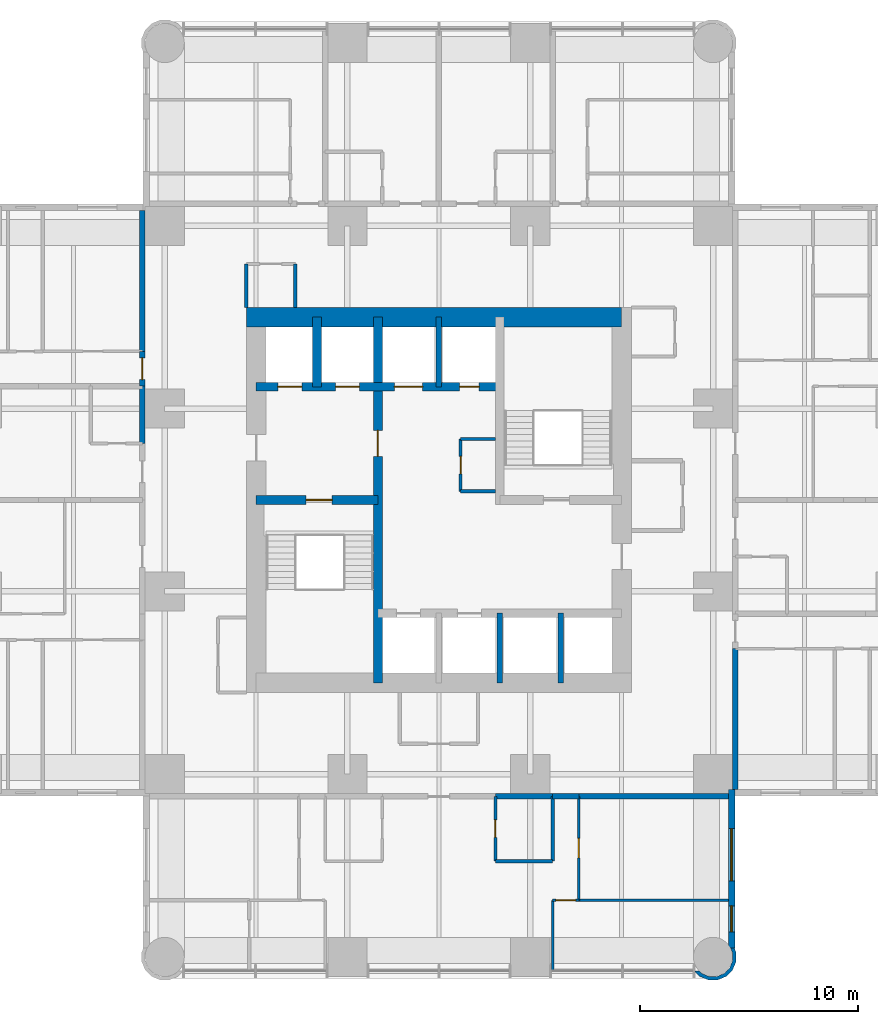
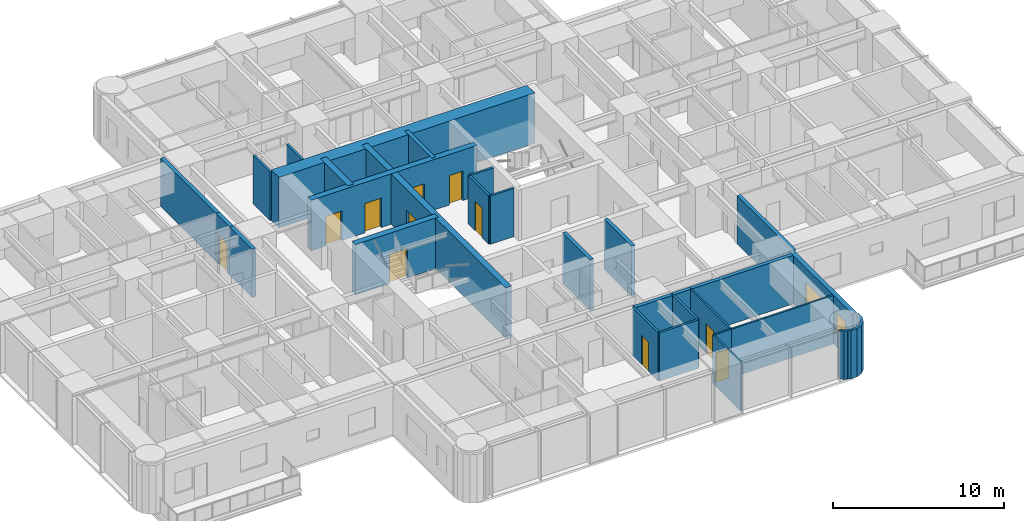
# One storey, part 8 of 14: 29 walls, 11 doors, 2 windows, 13 openings.
"""IFC4 building model written with IfcOpenShell, lengths in metres."""

from ifc_helpers import new_model, si_unit, direction, frame, frame_2d, origin, place, context, subcontext, project, spatial, polyline, rectangle, outline, extrude, material, layer, layer_set, type_object, element, fill, save


model = new_model("IFC4")

# Units and contexts
model_context = context("Model", 3, precision=1e-05, world=origin(), true_north=direction((0.0, 1.0)))
body_context = subcontext(model_context, "Body", "Model", "MODEL_VIEW")
ifc_project = project(units=[si_unit("LENGTHUNIT", "METRE"), si_unit("AREAUNIT", "SQUARE_METRE"), si_unit("VOLUMEUNIT", "CUBIC_METRE"), si_unit("PLANEANGLEUNIT", "RADIAN"), si_unit("MASSUNIT", "GRAM", prefix="KILO")], contexts=[model_context])

# Site, building, storey
site_placement = place(None, origin())
site = spatial("IfcSite", under=ifc_project, at=site_placement, CompositionType="ELEMENT")
building_placement = place(site_placement, origin())
building = spatial("IfcBuilding", under=site, at=building_placement, Name="Torre Alcanfor", CompositionType="ELEMENT")
storey_placement = place(building_placement, frame((0.0, 0.0, 170.10009765625)))
storey = spatial("IfcBuildingStorey", under=building, at=storey_placement, Name="L44", CompositionType="ELEMENT", Elevation=170.10009765625)

# Walls
ifc_material_1 = material(Name="Concrete block masonry, hollow blocks NMX-C-404 9 MPa", Category="masonry")
ifc_layer_1 = layer(ifc_material_1, 0.25)
ifc_layer_set_1 = layer_set([ifc_layer_1], Name="Apartment entrance wall 250 EI 60")
wall_type_1 = type_object("IfcWallType", Name="Apartment entrance wall 250 EI 60", PredefinedType="PARTITIONING", material=ifc_layer_set_1)
wall_1_placement = place(storey_placement, frame((43.02490234375, 22.571044921875, 0.0), z_axis=(0.0, 0.0, 1.0), x_axis=(0.0, -1.0, 0.0)))
element("IfcWall", 1, at=wall_1_placement, inside=storey, type_object=wall_type_1, Name="Partition L44-CORR / L44-E2B-BED2", PredefinedType="PARTITIONING", context=body_context, shape_type="SweptSolid", body=[
    extrude(rectangle(XDim=6.470947265625, YDim=0.25, at=frame_2d((3.2353515625, 0.0))), origin(), (0.0, 0.0, 1.0), 3.449951171875),
])
wall_2_placement = place(storey_placement, frame((34.62890625, 15.77490234375, 0.0), z_axis=(0.0, 0.0, 1.0), x_axis=(-1.0, 0.0, 0.0)))
element("IfcWall", 2, at=wall_2_placement, inside=storey, type_object=wall_type_1, Name="Partition L44-CORR / L44-SX-BATH2", PredefinedType="PARTITIONING", context=body_context, shape_type="SweptSolid", body=[
    extrude(rectangle(XDim=2.62890625, YDim=0.25, at=frame_2d((1.314453125, 0.0))), origin(), (0.0, 0.0, 1.0), 3.449951171875),
])
wall_3_placement = place(storey_placement, frame((35.8291015625, 15.77490234375, 0.0), z_axis=(0.0, 0.0, 1.0), x_axis=(-1.0, 0.0, 0.0)))
element("IfcWall", 3, at=wall_3_placement, inside=storey, type_object=wall_type_1, Name="Partition L44-CORR / L44-SX-LIVING", PredefinedType="PARTITIONING", context=body_context, shape_type="SweptSolid", body=[
    extrude(rectangle(XDim=1.2001953125, YDim=0.25, at=frame_2d((0.60009765625, 0.0))), origin(), (0.0, 0.0, 1.0), 3.449951171875),
])
wall_4_placement = place(storey_placement, frame((42.699951171875, 15.77490234375, 0.0), z_axis=(0.0, 0.0, 1.0), x_axis=(-1.0, 0.0, 0.0)))
element("IfcWall", 4, at=wall_4_placement, inside=storey, type_object=wall_type_1, Name="Partition L44-CORR / L44-SX-BED2", PredefinedType="PARTITIONING", context=body_context, shape_type="SweptSolid", body=[
    extrude(rectangle(XDim=6.870849609375, YDim=0.25, at=frame_2d((3.435546875, 0.0))), origin(), (0.0, 0.0, 1.0), 3.449951171875),
])
wall_5_placement = place(storey_placement, frame((15.77490234375, 32.0, 0.0), z_axis=(0.0, 0.0, 1.0), x_axis=(0.0, 1.0, 0.0)))
element("IfcWall", 5, at=wall_5_placement, inside=storey, type_object=wall_type_1, Name="Partition L44-CORR / L44-W2A-BATH", PredefinedType="PARTITIONING", context=body_context, shape_type="SweptSolid", body=[
    extrude(rectangle(XDim=2.62890625, YDim=0.25, at=frame_2d((1.314453125, 0.0))), origin(), (0.0, 0.0, 1.0), 3.449951171875),
])

# Wall, opening, door
wall_6_placement = place(storey_placement, frame((15.77490234375, 34.62890625, 0.0), z_axis=(0.0, 0.0, 1.0), x_axis=(0.0, 1.0, 0.0)))
wall_6 = element("IfcWall", 6, at=wall_6_placement, inside=storey, type_object=wall_type_1, Name="Partition L44-CORR / L44-W2B-HALL", PredefinedType="PARTITIONING", context=body_context, shape_type="SweptSolid", body=[
    extrude(rectangle(XDim=1.60009765625, YDim=0.25, at=frame_2d((0.800048828125, 0.0))), origin(), (0.0, 0.0, 1.0), 3.449951171875),
])
opening_1_placement = place(wall_6_placement, frame((0.300048828125, 0.0, 0.0)))
opening_1 = element("IfcOpeningElement", 7, at=opening_1_placement, cuts=wall_6, Name="Opening D-A1", PredefinedType="OPENING", context=body_context, shape_type="SweptSolid", body=[
    extrude(rectangle(XDim=1.0, YDim=2.10009765625, at=frame_2d((0.5, 1.050048828125))), frame((0.0, 0.135009765625, 0.0), z_axis=(0.0, -1.0, 0.0), x_axis=(1.0, 0.0, 0.0)), (0.0, 0.0, 1.0), 0.27001953125),
])
ifc_material_2 = material(Name="Galvanised steel sheet ASTM A653", Category="steel")
door_type_1 = type_object("IfcDoorType", Name="Apartment entrance door FD60 1000x2100", OperationType="SINGLE_SWING_LEFT", PredefinedType="DOOR", material=ifc_material_2)
door_1_placement = place(opening_1_placement, origin())
door_1 = element("IfcDoor", 8, at=door_1_placement, inside=storey, type_object=door_type_1, Name="Apartment entrance L44-W2B", OperationType="SINGLE_SWING_LEFT", OverallHeight=2.10009765625, OverallWidth=1.0, PredefinedType="DOOR", context=body_context, shape_type="SweptSolid", body=[
    extrude(rectangle(XDim=1.0, YDim=2.10009765625, at=frame_2d((0.5, 1.050048828125))), frame((0.0, 0.02490234375, 0.0), z_axis=(0.0, -1.0, 0.0), x_axis=(1.0, 0.0, 0.0)), (0.0, 0.0, 1.0), 0.050048828125),
])
fill(opening_1, door_1)

# Wall
wall_7_placement = place(storey_placement, frame((15.77490234375, 36.22900390625, 0.0), z_axis=(0.0, 0.0, 1.0), x_axis=(0.0, 1.0, 0.0)))
element("IfcWall", 9, at=wall_7_placement, inside=storey, type_object=wall_type_1, Name="Partition L44-CORR / L44-W2B-MASTER", PredefinedType="PARTITIONING", context=body_context, shape_type="SweptSolid", body=[
    extrude(rectangle(XDim=6.470947265625, YDim=0.25, at=frame_2d((3.2353515625, 0.0))), origin(), (0.0, 0.0, 1.0), 3.449951171875),
])

# Wall, opening, door
ifc_material_3 = material(Name="Gypsum board on steel studs", Category="steel")
ifc_layer_2 = layer(ifc_material_3, 0.1201171875)
ifc_layer_set_2 = layer_set([ifc_layer_2], Name="Apartment partition 120")
wall_type_2 = type_object("IfcWallType", Name="Apartment partition 120", PredefinedType="PARTITIONING", material=ifc_layer_set_2)
wall_8_placement = place(storey_placement, frame((35.8291015625, 15.77490234375, 0.0), z_axis=(0.0, 0.0, 1.0), x_axis=(0.0, -1.0, 0.0)))
wall_8 = element("IfcWall", 10, at=wall_8_placement, inside=storey, type_object=wall_type_2, Name="Partition L44-SX-LIVING / L44-SX-BED2", PredefinedType="PARTITIONING", context=body_context, shape_type="SweptSolid", body=[
    extrude(rectangle(XDim=4.77490234375, YDim=0.1201171875, at=frame_2d((2.387451171875, 0.0))), origin(), (0.0, 0.0, 1.0), 3.449951171875),
])
opening_2_placement = place(wall_8_placement, frame((1.925048828125, 0.0, 0.0)))
opening_2 = element("IfcOpeningElement", 11, at=opening_2_placement, cuts=wall_8, Name="Opening D-R1", PredefinedType="OPENING", context=body_context, shape_type="SweptSolid", body=[
    extrude(rectangle(XDim=0.89990234375, YDim=2.10009765625, at=frame_2d((0.449951171875, 1.050048828125))), frame((0.0, 0.070068359375, 0.0), z_axis=(0.0, -1.0, 0.0), x_axis=(1.0, 0.0, 0.0)), (0.0, 0.0, 1.0), 0.14013671875),
])
ifc_material_4 = material(Name="Timber", Category="wood")
door_type_2 = type_object("IfcDoorType", Name="Internal door 900x2100", OperationType="SINGLE_SWING_LEFT", PredefinedType="DOOR", material=ifc_material_4)
door_2_placement = place(opening_2_placement, origin())
door_2 = element("IfcDoor", 12, at=door_2_placement, inside=storey, type_object=door_type_2, Name="Door L44-SX bed2", OperationType="SINGLE_SWING_LEFT", OverallHeight=2.10009765625, OverallWidth=0.89990234375, PredefinedType="DOOR", context=body_context, shape_type="SweptSolid", body=[
    extrude(rectangle(XDim=0.89990234375, YDim=2.10009765625, at=frame_2d((0.449951171875, 1.050048828125))), frame((0.0, 0.02490234375, 0.0), z_axis=(0.0, -1.0, 0.0), x_axis=(1.0, 0.0, 0.0)), (0.0, 0.0, 1.0), 0.050048828125),
])
fill(opening_2, door_2)

wall_9_placement = place(storey_placement, frame((35.8291015625, 11.0, 0.0), z_axis=(0.0, 0.0, 1.0), x_axis=(-1.0, 0.0, 0.0)))
wall_9 = element("IfcWall", 13, at=wall_9_placement, inside=storey, type_object=wall_type_2, Name="Partition L44-SX-LIVING / L44-SX-MASTER", PredefinedType="PARTITIONING", context=body_context, shape_type="SweptSolid", body=[
    extrude(rectangle(XDim=1.2001953125, YDim=0.1201171875, at=frame_2d((0.60009765625, 0.0))), origin(), (0.0, 0.0, 1.0), 3.449951171875),
])
opening_3_placement = place(wall_9_placement, frame((0.14892578125, 0.0, 0.0)))
opening_3 = element("IfcOpeningElement", 14, at=opening_3_placement, cuts=wall_9, Name="Opening D-R1", PredefinedType="OPENING", context=body_context, shape_type="SweptSolid", body=[
    extrude(rectangle(XDim=0.89990234375, YDim=2.10009765625, at=frame_2d((0.449951171875, 1.050048828125))), frame((0.0, 0.070068359375, 0.0), z_axis=(0.0, -1.0, 0.0), x_axis=(1.0, 0.0, 0.0)), (0.0, 0.0, 1.0), 0.14013671875),
])
door_3_placement = place(opening_3_placement, origin())
door_3 = element("IfcDoor", 15, at=door_3_placement, inside=storey, type_object=door_type_2, Name="Door L44-SX master", OperationType="SINGLE_SWING_RIGHT", OverallHeight=2.10009765625, OverallWidth=0.89990234375, PredefinedType="DOOR", context=body_context, shape_type="SweptSolid", body=[
    extrude(rectangle(XDim=0.89990234375, YDim=2.10009765625, at=frame_2d((0.449951171875, 1.050048828125))), frame((0.0, 0.02490234375, 0.0), z_axis=(0.0, -1.0, 0.0), x_axis=(1.0, 0.0, 0.0)), (0.0, 0.0, 1.0), 0.050048828125),
])
fill(opening_3, door_3)

# Walls
wall_10_placement = place(storey_placement, frame((34.62890625, 11.0, 0.0), z_axis=(0.0, 0.0, 1.0), x_axis=(0.0, -1.0, 0.0)))
element("IfcWall", 16, at=wall_10_placement, inside=storey, type_object=wall_type_2, Name="Partition L44-SX-LIVING / L44-SX-MASTER", PredefinedType="PARTITIONING", context=body_context, shape_type="SweptSolid", body=[
    extrude(rectangle(XDim=3.25, YDim=0.1201171875, at=frame_2d((1.625, 0.0))), origin(), (0.0, 0.0, 1.0), 3.449951171875),
])
wall_11_placement = place(storey_placement, frame((35.8291015625, 11.0, 0.0), z_axis=(0.0, 0.0, 1.0), x_axis=(1.0, 0.0, 0.0)))
element("IfcWall", 17, at=wall_11_placement, inside=storey, type_object=wall_type_2, Name="Partition L44-SX-BED2 / L44-SX-MASTER", PredefinedType="PARTITIONING", context=body_context, shape_type="SweptSolid", body=[
    extrude(rectangle(XDim=6.870849609375, YDim=0.1201171875, at=frame_2d((3.435546875, 0.0))), origin(), (0.0, 0.0, 1.0), 3.449951171875),
])

# Wall, opening, door
ifc_material_5 = material(Name="Concrete f'c 70 MPa", Category="concrete")
ifc_layer_3 = layer(ifc_material_5, 0.39990234375)
ifc_layer_set_3 = layer_set([ifc_layer_3], Name="Core inner wall 400 f'c70")
wall_type_3 = type_object("IfcWallType", Name="Core inner wall 400 f'c70", PredefinedType="SHEAR", material=ifc_layer_set_3)
wall_12_placement = place(storey_placement, frame((26.60009765625, 21.0, 0.0), z_axis=(0.0, 0.0, 1.0), x_axis=(0.0, 1.0, 0.0)))
wall_12 = element("IfcWall", 18, at=wall_12_placement, inside=storey, type_object=wall_type_3, Name="Core wall X266 L44", PredefinedType="SHEAR", context=body_context, shape_type="SweptSolid", body=[
    extrude(rectangle(XDim=16.800048828125, YDim=0.39990234375, at=frame_2d((8.39990234375, 0.0))), origin(), (0.0, 0.0, 1.0), 3.599853515625),
])
opening_4_placement = place(wall_12_placement, frame((10.39990234375, 0.0, 0.0)))
opening_4 = element("IfcOpeningElement", 19, at=opening_4_placement, cuts=wall_12, Name="Opening D-L1", PredefinedType="OPENING", context=body_context, shape_type="SweptSolid", body=[
    extrude(rectangle(XDim=1.199951171875, YDim=2.10009765625, at=frame_2d((0.60009765625, 1.050048828125))), frame((0.0, 0.2099609375, 0.0), z_axis=(0.0, -1.0, 0.0), x_axis=(1.0, 0.0, 0.0)), (0.0, 0.0, 1.0), 0.419921875),
])
ifc_material_6 = material(Name="Galvanised steel sheet ASTM A653", Category="steel")
door_type_3 = type_object("IfcDoorType", Name="Lobby door FD120 1200x2100", OperationType="SINGLE_SWING_LEFT", PredefinedType="DOOR", material=ifc_material_6)
door_4_placement = place(opening_4_placement, origin())
door_4 = element("IfcDoor", 20, at=door_4_placement, inside=storey, type_object=door_type_3, Name="Lift lobby door L44", OperationType="SINGLE_SWING_LEFT", OverallHeight=2.10009765625, OverallWidth=1.199951171875, PredefinedType="DOOR", context=body_context, shape_type="SweptSolid", body=[
    extrude(rectangle(XDim=1.199951171875, YDim=2.10009765625, at=frame_2d((0.60009765625, 1.050048828125))), frame((0.0, 0.02490234375, 0.0), z_axis=(0.0, -1.0, 0.0), x_axis=(1.0, 0.0, 0.0)), (0.0, 0.0, 1.0), 0.050048828125),
])
fill(opening_4, door_4)

wall_13_placement = place(storey_placement, frame((21.0, 29.39990234375, 0.0), z_axis=(0.0, 0.0, 1.0), x_axis=(1.0, 0.0, 0.0)))
wall_13 = element("IfcWall", 21, at=wall_13_placement, inside=storey, type_object=wall_type_3, Name="Core wall Y294W L44", PredefinedType="SHEAR", context=body_context, shape_type="SweptSolid", body=[
    extrude(rectangle(XDim=5.60009765625, YDim=0.39990234375, at=frame_2d((2.800048828125, 0.0))), origin(), (0.0, 0.0, 1.0), 3.599853515625),
])
opening_5_placement = place(wall_13_placement, frame((2.300048828125, 0.0, 0.0)))
opening_5 = element("IfcOpeningElement", 22, at=opening_5_placement, cuts=wall_13, Name="Opening D-S2", PredefinedType="OPENING", context=body_context, shape_type="SweptSolid", body=[
    extrude(rectangle(XDim=1.199951171875, YDim=2.10009765625, at=frame_2d((0.60009765625, 1.050048828125))), frame((0.0, 0.2099609375, 0.0), z_axis=(0.0, -1.0, 0.0), x_axis=(1.0, 0.0, 0.0)), (0.0, 0.0, 1.0), 0.419921875),
])
ifc_material_7 = material(Name="Galvanised steel sheet ASTM A653", Category="steel")
door_type_4 = type_object("IfcDoorType", Name="Stair enclosure door FD120 1200x2100", OperationType="SINGLE_SWING_LEFT", PredefinedType="DOOR", material=ifc_material_7)
door_5_placement = place(opening_5_placement, frame((1.199951171875, 0.0, 0.0), z_axis=(0.0, 0.0, 1.0), x_axis=(-1.0, 0.0, 0.0)))
door_5 = element("IfcDoor", 23, at=door_5_placement, inside=storey, type_object=door_type_4, Name="Stair S1 door L44", OperationType="SINGLE_SWING_LEFT", OverallHeight=2.10009765625, OverallWidth=1.199951171875, PredefinedType="DOOR", context=body_context, shape_type="SweptSolid", body=[
    extrude(rectangle(XDim=1.199951171875, YDim=2.10009765625, at=frame_2d((0.599853515625, 1.050048828125))), frame((0.0, 0.025146484375, 0.0), z_axis=(0.0, -1.0, 0.0), x_axis=(1.0, 0.0, 0.0)), (0.0, 0.0, 1.0), 0.050048828125),
])
fill(opening_5, door_5)

# Wall, openings, doors
wall_14_placement = place(storey_placement, frame((21.0, 34.60009765625, 0.0), z_axis=(0.0, 0.0, 1.0), x_axis=(1.0, 0.0, 0.0)))
wall_14 = element("IfcWall", 24, at=wall_14_placement, inside=storey, type_object=wall_type_3, Name="Core wall Y346 L44", PredefinedType="SHEAR", context=body_context, shape_type="SweptSolid", body=[
    extrude(rectangle(XDim=11.199951171875, YDim=0.39990234375, at=frame_2d((5.60009765625, 0.0))), origin(), (0.0, 0.0, 1.0), 3.599853515625),
])
opening_6_placement = place(wall_14_placement, frame((9.35009765625, 0.0, 0.0)))
opening_6 = element("IfcOpeningElement", 25, at=opening_6_placement, cuts=wall_14, Name="Opening D-Q1", PredefinedType="OPENING", context=body_context, shape_type="SweptSolid", body=[
    extrude(rectangle(XDim=0.89990234375, YDim=2.10009765625, at=frame_2d((0.449951171875, 1.050048828125))), frame((0.0, 0.2099609375, 0.0), z_axis=(0.0, -1.0, 0.0), x_axis=(1.0, 0.0, 0.0)), (0.0, 0.0, 1.0), 0.419921875),
])
opening_7_placement = place(wall_14_placement, frame((1.0, 0.0, 0.0)))
opening_7 = element("IfcOpeningElement", 26, at=opening_7_placement, cuts=wall_14, Name="Opening LD2", PredefinedType="OPENING", context=body_context, shape_type="SweptSolid", body=[
    extrude(rectangle(XDim=1.10009765625, YDim=2.10009765625, at=frame_2d((0.550048828125, 1.050048828125))), frame((0.0, 0.2099609375, 0.0), z_axis=(0.0, -1.0, 0.0), x_axis=(1.0, 0.0, 0.0)), (0.0, 0.0, 1.0), 0.419921875),
])
opening_8_placement = place(wall_14_placement, frame((3.64990234375, 0.0, 0.0)))
opening_8 = element("IfcOpeningElement", 27, at=opening_8_placement, cuts=wall_14, Name="Opening LD2", PredefinedType="OPENING", context=body_context, shape_type="SweptSolid", body=[
    extrude(rectangle(XDim=1.10009765625, YDim=2.10009765625, at=frame_2d((0.550048828125, 1.050048828125))), frame((0.0, 0.2099609375, 0.0), z_axis=(0.0, -1.0, 0.0), x_axis=(1.0, 0.0, 0.0)), (0.0, 0.0, 1.0), 0.419921875),
])
opening_9_placement = place(wall_14_placement, frame((6.35009765625, 0.0, 0.0)))
opening_9 = element("IfcOpeningElement", 28, at=opening_9_placement, cuts=wall_14, Name="Opening LD3", PredefinedType="OPENING", context=body_context, shape_type="SweptSolid", body=[
    extrude(rectangle(XDim=1.300048828125, YDim=2.10009765625, at=frame_2d((0.64990234375, 1.050048828125))), frame((0.0, 0.2099609375, 0.0), z_axis=(0.0, -1.0, 0.0), x_axis=(1.0, 0.0, 0.0)), (0.0, 0.0, 1.0), 0.419921875),
])
ifc_material_8 = material(Name="Galvanised steel sheet ASTM A653", Category="steel")
door_type_5 = type_object("IfcDoorType", Name="Firefighting lift landing door 1100x2100", OperationType="DOUBLE_DOOR_SLIDING", PredefinedType="DOOR", material=ifc_material_8)
door_6_placement = place(opening_7_placement, origin())
door_6 = element("IfcDoor", 29, at=door_6_placement, inside=storey, type_object=door_type_5, Name="Lift landing door FL1 L44", OperationType="DOUBLE_DOOR_SLIDING", OverallHeight=2.10009765625, OverallWidth=1.10009765625, PredefinedType="DOOR", context=body_context, shape_type="SweptSolid", body=[
    extrude(rectangle(XDim=1.10009765625, YDim=2.10009765625, at=frame_2d((0.550048828125, 1.050048828125))), frame((0.0, 0.02490234375, 0.0), z_axis=(0.0, -1.0, 0.0), x_axis=(1.0, 0.0, 0.0)), (0.0, 0.0, 1.0), 0.050048828125),
])
fill(opening_7, door_6)
door_7_placement = place(opening_8_placement, origin())
door_7 = element("IfcDoor", 30, at=door_7_placement, inside=storey, type_object=door_type_5, Name="Lift landing door FL2 L44", OperationType="DOUBLE_DOOR_SLIDING", OverallHeight=2.10009765625, OverallWidth=1.10009765625, PredefinedType="DOOR", context=body_context, shape_type="SweptSolid", body=[
    extrude(rectangle(XDim=1.10009765625, YDim=2.10009765625, at=frame_2d((0.550048828125, 1.050048828125))), frame((0.0, 0.02490234375, 0.0), z_axis=(0.0, -1.0, 0.0), x_axis=(1.0, 0.0, 0.0)), (0.0, 0.0, 1.0), 0.050048828125),
])
fill(opening_8, door_7)
ifc_material_9 = material(Name="Galvanised steel sheet ASTM A653", Category="steel")
door_type_6 = type_object("IfcDoorType", Name="Riser access door FD120 900x2100", OperationType="SINGLE_SWING_LEFT", PredefinedType="DOOR", material=ifc_material_9)
door_8_placement = place(opening_6_placement, origin())
door_8 = element("IfcDoor", 31, at=door_8_placement, inside=storey, type_object=door_type_6, Name="Riser door L44", OperationType="SINGLE_SWING_LEFT", OverallHeight=2.10009765625, OverallWidth=0.89990234375, PredefinedType="DOOR", context=body_context, shape_type="SweptSolid", body=[
    extrude(rectangle(XDim=0.89990234375, YDim=2.10009765625, at=frame_2d((0.449951171875, 1.050048828125))), frame((0.0, 0.02490234375, 0.0), z_axis=(0.0, -1.0, 0.0), x_axis=(1.0, 0.0, 0.0)), (0.0, 0.0, 1.0), 0.050048828125),
])
fill(opening_6, door_8)
ifc_material_10 = material(Name="Galvanised steel sheet ASTM A653", Category="steel")
door_type_7 = type_object("IfcDoorType", Name="Service lift landing door 1300x2100", OperationType="DOUBLE_DOOR_SLIDING", PredefinedType="DOOR", material=ifc_material_10)
door_9_placement = place(opening_9_placement, origin())
door_9 = element("IfcDoor", 32, at=door_9_placement, inside=storey, type_object=door_type_7, Name="Lift landing door SL1 L44", OperationType="DOUBLE_DOOR_SLIDING", OverallHeight=2.10009765625, OverallWidth=1.300048828125, PredefinedType="DOOR", context=body_context, shape_type="SweptSolid", body=[
    extrude(rectangle(XDim=1.300048828125, YDim=2.10009765625, at=frame_2d((0.64990234375, 1.050048828125))), frame((0.0, 0.02490234375, 0.0), z_axis=(0.0, -1.0, 0.0), x_axis=(1.0, 0.0, 0.0)), (0.0, 0.0, 1.0), 0.050048828125),
])
fill(opening_9, door_9)

# Walls
wall_15_placement = place(storey_placement, frame((23.800048828125, 34.60009765625, 0.0), z_axis=(0.0, 0.0, 1.0), x_axis=(0.0, 1.0, 0.0)))
element("IfcWall", 33, at=wall_15_placement, inside=storey, type_object=wall_type_3, Name="Core wall X238 L44", PredefinedType="SHEAR", context=body_context, shape_type="SweptSolid", body=[
    extrude(rectangle(XDim=3.199951171875, YDim=0.39990234375, at=frame_2d((1.60009765625, 0.0))), origin(), (0.0, 0.0, 1.0), 3.599853515625),
])
ifc_material_11 = material(Name="Concrete f'c 70 MPa", Category="concrete")
ifc_layer_4 = layer(ifc_material_11, 0.25)
ifc_layer_set_4 = layer_set([ifc_layer_4], Name="Core shaft wall 250 f'c70")
wall_type_4 = type_object("IfcWallType", Name="Core shaft wall 250 f'c70", PredefinedType="SHEAR", material=ifc_layer_set_4)
for number, where, z_axis, x_axis, name in (
    (34, (32.199951171875, 21.0, 0.0), (0.0, 0.0, 1.0), (0.0, 1.0, 0.0), "Core wall X322S L44"),
    (35, (35.0, 21.0, 0.0), (0.0, 0.0, 1.0), (0.0, 1.0, 0.0), "Core wall X350S L44"),
    (36, (29.39990234375, 34.60009765625, 0.0), (0.0, 0.0, 1.0), (0.0, 1.0, 0.0), "Core wall X294N L44"),
):
    element("IfcWall", number, at=place(storey_placement, frame(where, z_axis=z_axis, x_axis=x_axis)), inside=storey, type_object=wall_type_4, Name=name, PredefinedType="SHEAR", context=body_context, shape_type="SweptSolid", body=[
        extrude(rectangle(XDim=3.199951171875, YDim=0.25, at=frame_2d((1.60009765625, 0.0))), origin(), (0.0, 0.0, 1.0), 3.599853515625),
    ])
ifc_material_12 = material(Name="Concrete f'c 70 MPa", Category="concrete")
ifc_layer_5 = layer(ifc_material_12, 0.89990234375)
ifc_layer_set_5 = layer_set([ifc_layer_5], Name="Core wall 900 f'c70")
wall_type_5 = type_object("IfcWallType", Name="Core wall 900 f'c70", PredefinedType="SHEAR", material=ifc_layer_set_5)
wall_16_placement = place(storey_placement, frame((37.800048828125, 37.800048828125, 0.0), z_axis=(0.0, 0.0, 1.0), x_axis=(-1.0, 0.0, 0.0)))
element("IfcWall", 37, at=wall_16_placement, inside=storey, type_object=wall_type_5, Name="Core wall OUT-N L44", PredefinedType="SHEAR", context=body_context, shape_type="SweptSolid", body=[
    extrude(rectangle(XDim=17.25, YDim=0.89990234375, at=frame_2d((8.625, 0.0))), origin(), (0.0, 0.0, 1.0), 3.599853515625),
])

# Wall, openings, windows
ifc_material_13 = material(Name="Limestone cladding", Category="masonry")
ifc_layer_6 = layer(ifc_material_13, 0.0400390625, Name="Facing")
ifc_material_14 = material(Name="Ventilated air cavity")
ifc_layer_7 = layer(ifc_material_14, 0.02001953125, ventilated=True, Name="Ventilated joint")
ifc_material_15 = material(Name="Mineral wool insulation", Category="insulation")
ifc_layer_8 = layer(ifc_material_15, 0.10009765625, Name="Insulation")
ifc_material_16 = material(Name="Concrete f'c 35 MPa", Category="concrete")
ifc_layer_9 = layer(ifc_material_16, 0.139892578125, Name="Backing")
ifc_layer_set_6 = layer_set([ifc_layer_6, ifc_layer_7, ifc_layer_8, ifc_layer_9], Name="External wall stone-clad 300")
wall_type_6 = type_object("IfcWallType", Name="External wall stone-clad 300", PredefinedType="SOLIDWALL", material=ifc_layer_set_6)
wall_17_placement = place(storey_placement, frame((42.85009765625, 8.800048828125, 0.0), z_axis=(0.0, 0.0, 1.0), x_axis=(0.0, 1.0, 0.0)))
wall_17 = element("IfcWall", 38, at=wall_17_placement, inside=storey, type_object=wall_type_6, Name="External wall L44 6", PredefinedType="SOLIDWALL", context=body_context, shape_type="SweptSolid", body=[
    extrude(rectangle(XDim=7.300048828125, YDim=0.300048828125, at=frame_2d((3.64990234375, 0.0))), origin(), (0.0, 0.0, 1.0), 3.449951171875),
])
opening_10_placement = place(wall_17_placement, frame((3.10009765625, 0.0, 0.89990234375)))
opening_10 = element("IfcOpeningElement", 39, at=opening_10_placement, cuts=wall_17, Name="Opening W1", PredefinedType="OPENING", context=body_context, shape_type="SweptSolid", body=[
    extrude(rectangle(XDim=2.39990234375, YDim=1.5, at=frame_2d((1.199951171875, 0.75))), frame((0.0, 0.159912109375, 0.0), z_axis=(0.0, -1.0, 0.0), x_axis=(1.0, 0.0, 0.0)), (0.0, 0.0, 1.0), 0.320068359375),
])
opening_11_placement = place(wall_17_placement, frame((0.75, 0.0, 0.89990234375)))
opening_11 = element("IfcOpeningElement", 40, at=opening_11_placement, cuts=wall_17, Name="Opening W4", PredefinedType="OPENING", context=body_context, shape_type="SweptSolid", body=[
    extrude(rectangle(XDim=1.199951171875, YDim=1.5, at=frame_2d((0.60009765625, 0.75))), frame((0.0, 0.159912109375, 0.0), z_axis=(0.0, -1.0, 0.0), x_axis=(1.0, 0.0, 0.0)), (0.0, 0.0, 1.0), 0.320068359375),
])
ifc_material_17 = material(Name="Aluminium frame with clear double glazing", Category="aluminium")
window_type_1 = type_object("IfcWindowType", Name="Window bedroom 1200x1500", PartitioningType="SINGLE_PANEL", PredefinedType="WINDOW", material=ifc_material_17)
window_1_placement = place(opening_11_placement, origin())
window_1 = element("IfcWindow", 41, at=window_1_placement, inside=storey, type_object=window_type_1, Name="Window W4 L44-S1", OverallHeight=1.5, OverallWidth=1.199951171875, PartitioningType="SINGLE_PANEL", PredefinedType="WINDOW", context=body_context, shape_type="SweptSolid", body=[
    extrude(rectangle(XDim=1.199951171875, YDim=1.5, at=frame_2d((0.60009765625, 0.75))), frame((0.0, 0.030029296875, 0.0), z_axis=(0.0, -1.0, 0.0), x_axis=(1.0, 0.0, 0.0)), (0.0, 0.0, 1.0), 0.06005859375),
])
fill(opening_11, window_1)
ifc_material_18 = material(Name="Aluminium frame with clear double glazing", Category="aluminium")
window_type_2 = type_object("IfcWindowType", Name="Window bedroom 2400x1500", PartitioningType="SINGLE_PANEL", PredefinedType="WINDOW", material=ifc_material_18)
window_2_placement = place(opening_10_placement, origin())
window_2 = element("IfcWindow", 42, at=window_2_placement, inside=storey, type_object=window_type_2, Name="Window W1 L44-S1", OverallHeight=1.5, OverallWidth=2.39990234375, PartitioningType="SINGLE_PANEL", PredefinedType="WINDOW", context=body_context, shape_type="SweptSolid", body=[
    extrude(rectangle(XDim=2.39990234375, YDim=1.5, at=frame_2d((1.199951171875, 0.75))), frame((0.0, 0.030029296875, 0.0), z_axis=(0.0, -1.0, 0.0), x_axis=(1.0, 0.0, 0.0)), (0.0, 0.0, 1.0), 0.06005859375),
])
fill(opening_10, window_2)

# Walls
ifc_material_19 = material(Name="Concrete block masonry, hollow blocks NMX-C-404 9 MPa", Category="masonry")
ifc_layer_10 = layer(ifc_material_19, 0.14990234375)
ifc_layer_set_7 = layer_set([ifc_layer_10], Name="Residents' room partition 150")
wall_type_7 = type_object("IfcWallType", Name="Residents' room partition 150", PredefinedType="PARTITIONING", material=ifc_layer_set_7)
for number, where, z_axis, x_axis, name in (
    (43, (22.800048828125, 38.25, 0.0), (0.0, 0.0, 1.0), (0.0, 1.0, 0.0), "Partition L44-CORR / L44-G01"),
    (44, (20.550048828125, 40.25, 0.0), (0.0, 0.0, 1.0), (0.0, -1.0, 0.0), "Partition L44-CORR / L44-G01"),
):
    element("IfcWall", number, at=place(storey_placement, frame(where, z_axis=z_axis, x_axis=x_axis)), inside=storey, type_object=wall_type_7, Name=name, PredefinedType="PARTITIONING", context=body_context, shape_type="SweptSolid", body=[
        extrude(rectangle(XDim=2.0, YDim=0.14990234375, at=frame_2d((1.0, 0.0))), origin(), (0.0, 0.0, 1.0), 3.449951171875),
    ])
wall_18_placement = place(storey_placement, frame((32.0, 29.800048828125, 0.0), z_axis=(0.0, 0.0, 1.0), x_axis=(-1.0, 0.0, 0.0)))
element("IfcWall", 45, at=wall_18_placement, inside=storey, type_object=wall_type_7, Name="Partition L44-LL / L44-CR1", PredefinedType="PARTITIONING", context=body_context, shape_type="SweptSolid", body=[
    extrude(rectangle(XDim=1.60009765625, YDim=0.14990234375, at=frame_2d((0.800048828125, 0.0))), origin(), (0.0, 0.0, 1.0), 3.449951171875),
])

# Wall, opening, door
wall_19_placement = place(storey_placement, frame((30.39990234375, 29.800048828125, 0.0), z_axis=(0.0, 0.0, 1.0), x_axis=(0.0, 1.0, 0.0)))
wall_19 = element("IfcWall", 46, at=wall_19_placement, inside=storey, type_object=wall_type_7, Name="Partition L44-LL / L44-CR1", PredefinedType="PARTITIONING", context=body_context, shape_type="SweptSolid", body=[
    extrude(rectangle(XDim=2.39990234375, YDim=0.14990234375, at=frame_2d((1.199951171875, 0.0))), origin(), (0.0, 0.0, 1.0), 3.449951171875),
])
opening_12_placement = place(wall_19_placement, frame((0.800048828125, 0.0, 0.0)))
opening_12 = element("IfcOpeningElement", 47, at=opening_12_placement, cuts=wall_19, Name="Opening D-R2", PredefinedType="OPENING", context=body_context, shape_type="SweptSolid", body=[
    extrude(rectangle(XDim=0.800048828125, YDim=2.10009765625, at=frame_2d((0.39990234375, 1.050048828125))), frame((0.0, 0.0849609375, 0.0), z_axis=(0.0, -1.0, 0.0), x_axis=(1.0, 0.0, 0.0)), (0.0, 0.0, 1.0), 0.169921875),
])
ifc_material_20 = material(Name="Timber", Category="wood")
door_type_8 = type_object("IfcDoorType", Name="Bathroom door 800x2100", OperationType="SINGLE_SWING_LEFT", PredefinedType="DOOR", material=ifc_material_20)
door_10_placement = place(opening_12_placement, frame((0.800048828125, 0.0, 0.0), z_axis=(0.0, 0.0, 1.0), x_axis=(-1.0, 0.0, 0.0)))
door_10 = element("IfcDoor", 48, at=door_10_placement, inside=storey, type_object=door_type_8, Name="Cleaners' store door L44", OperationType="SINGLE_SWING_RIGHT", OverallHeight=2.10009765625, OverallWidth=0.800048828125, PredefinedType="DOOR", context=body_context, shape_type="SweptSolid", body=[
    extrude(rectangle(XDim=0.800048828125, YDim=2.10009765625, at=frame_2d((0.400146484375, 1.050048828125))), frame((0.0, 0.025146484375, 0.0), z_axis=(0.0, -1.0, 0.0), x_axis=(1.0, 0.0, 0.0)), (0.0, 0.0, 1.0), 0.050048828125),
])
fill(opening_12, door_10)

# Walls
wall_20_placement = place(storey_placement, frame((30.39990234375, 32.199951171875, 0.0), z_axis=(0.0, 0.0, 1.0), x_axis=(1.0, 0.0, 0.0)))
element("IfcWall", 49, at=wall_20_placement, inside=storey, type_object=wall_type_7, Name="Partition L44-LL / L44-CR1", PredefinedType="PARTITIONING", context=body_context, shape_type="SweptSolid", body=[
    extrude(rectangle(XDim=1.60009765625, YDim=0.14990234375, at=frame_2d((0.800048828125, 0.0))), origin(), (0.0, 0.0, 1.0), 3.449951171875),
])
ifc_layer_11 = layer(ifc_material_13, 0.0400390625, Name="Facing")
ifc_layer_12 = layer(ifc_material_14, 0.02001953125, ventilated=True, Name="Ventilated joint")
ifc_layer_13 = layer(ifc_material_15, 0.10009765625, Name="Insulation")
ifc_layer_14 = layer(ifc_material_16, 0.139892578125, Name="Backing")
ifc_layer_set_8 = layer_set([ifc_layer_11, ifc_layer_12, ifc_layer_13, ifc_layer_14], Name="Rounded corner pier stone-clad 300")
wall_type_8 = type_object("IfcWallType", Name="Rounded corner pier stone-clad 300", PredefinedType="SOLIDWALL", material=ifc_layer_set_8)
wall_21_placement = place(storey_placement, frame((41.23340608, 7.789480744, 0.0), z_axis=(0.0, 0.0, 1.0), x_axis=(0.377204953059, -0.926129809145, 0.0)))
element("IfcWall", 50, at=wall_21_placement, inside=storey, type_object=wall_type_8, Name="Corner pier L44 16", PredefinedType="SOLIDWALL", context=body_context, shape_type="SweptSolid", body=[
    extrude(outline(polyline([(0.3188221367360325, 1.8424968160812525), (-0.07166277058672699, 2.0015380646001097), (-0.24000427352452447, 2.0005081050015594), (-0.269549250210802, 2.0172865767024346), (-0.3699438072570761, 1.8406950343160768), (-0.10231236878147876, 1.842145174106832), (0.22961110773838866, 1.7069555083131536), (0.4845476415603822, 1.4552346247001606), (0.6236550635861208, 1.1249461766610187), (0.6257590263396249, 0.7663652844174852), (0.49056936054594646, 0.43444180789761777), (0.23853027996952475, 0.17937125921818126), (0.09025049501168259, 0.1169203356497861), (0.010960098384736335, -0.07775685323550395), (0.024526453010888946, -0.08328231641508209), (0.32945123502871626, 0.0453300229256597), (0.48001657385947577, 0.19753321657308245), (0.4991180482772686, 0.19265309734843963), (0.5076646161494596, 0.22528724603202818), (0.6258845624036093, 0.3453228699529668), (0.7848337198694737, 0.7355816713652905), (0.7823550336481375, 1.1573188904493026), (0.6188149837633398, 1.5460634887063593), (0.3188221367360325, 1.8424968160812525)])), origin(), (0.0, 0.0, 1.0), 3.449951171875),
])

# Wall, opening, door
ifc_material_21 = material(Name="Cement board on steel studs", Category="steel")
ifc_layer_15 = layer(ifc_material_21, 0.14990234375)
ifc_layer_set_9 = layer_set([ifc_layer_15], Name="Wet area partition 150")
wall_type_9 = type_object("IfcWallType", Name="Wet area partition 150", PredefinedType="PARTITIONING", material=ifc_layer_set_9)
wall_22_placement = place(storey_placement, frame((32.0, 12.800048828125, 0.0), z_axis=(0.0, 0.0, 1.0), x_axis=(0.0, 1.0, 0.0)))
wall_22 = element("IfcWall", 51, at=wall_22_placement, inside=storey, type_object=wall_type_9, Name="Partition L44-SX-ZAG / L44-SX-BATH2", PredefinedType="PARTITIONING", context=body_context, shape_type="SweptSolid", body=[
    extrude(rectangle(XDim=2.974853515625, YDim=0.14990234375, at=frame_2d((1.4873046875, 0.0))), origin(), (0.0, 0.0, 1.0), 3.449951171875),
])
opening_13_placement = place(wall_22_placement, frame((1.10009765625, 0.0, 0.0)))
opening_13 = element("IfcOpeningElement", 52, at=opening_13_placement, cuts=wall_22, Name="Opening D-R2", PredefinedType="OPENING", context=body_context, shape_type="SweptSolid", body=[
    extrude(rectangle(XDim=0.800048828125, YDim=2.10009765625, at=frame_2d((0.39990234375, 1.050048828125))), frame((0.0, 0.0849609375, 0.0), z_axis=(0.0, -1.0, 0.0), x_axis=(1.0, 0.0, 0.0)), (0.0, 0.0, 1.0), 0.169921875),
])
door_11_placement = place(opening_13_placement, frame((0.800048828125, 0.0, 0.0), z_axis=(0.0, 0.0, 1.0), x_axis=(-1.0, 0.0, 0.0)))
door_11 = element("IfcDoor", 53, at=door_11_placement, inside=storey, type_object=door_type_8, Name="Door L44-SX bath2", OperationType="SINGLE_SWING_LEFT", OverallHeight=2.10009765625, OverallWidth=0.800048828125, PredefinedType="DOOR", context=body_context, shape_type="SweptSolid", body=[
    extrude(rectangle(XDim=0.800048828125, YDim=2.10009765625, at=frame_2d((0.400146484375, 1.050048828125))), frame((0.0, 0.025146484375, 0.0), z_axis=(0.0, -1.0, 0.0), x_axis=(1.0, 0.0, 0.0)), (0.0, 0.0, 1.0), 0.050048828125),
])
fill(opening_13, door_11)

# Walls
wall_23_placement = place(storey_placement, frame((32.0, 12.800048828125, 0.0), z_axis=(0.0, 0.0, 1.0), x_axis=(1.0, 0.0, 0.0)))
element("IfcWall", 54, at=wall_23_placement, inside=storey, type_object=wall_type_9, Name="Partition L44-SX-BATH2 / L44-SX-LIVING", PredefinedType="PARTITIONING", context=body_context, shape_type="SweptSolid", body=[
    extrude(rectangle(XDim=2.62890625, YDim=0.14990234375, at=frame_2d((1.314453125, 0.0))), origin(), (0.0, 0.0, 1.0), 3.449951171875),
])
wall_24_placement = place(storey_placement, frame((34.62890625, 12.800048828125, 0.0), z_axis=(0.0, 0.0, 1.0), x_axis=(0.0, 1.0, 0.0)))
element("IfcWall", 55, at=wall_24_placement, inside=storey, type_object=wall_type_9, Name="Partition L44-SX-BATH2 / L44-SX-LIVING", PredefinedType="PARTITIONING", context=body_context, shape_type="SweptSolid", body=[
    extrude(rectangle(XDim=2.974853515625, YDim=0.14990234375, at=frame_2d((1.4873046875, 0.0))), origin(), (0.0, 0.0, 1.0), 3.449951171875),
])

save(model, "model.ifc")
